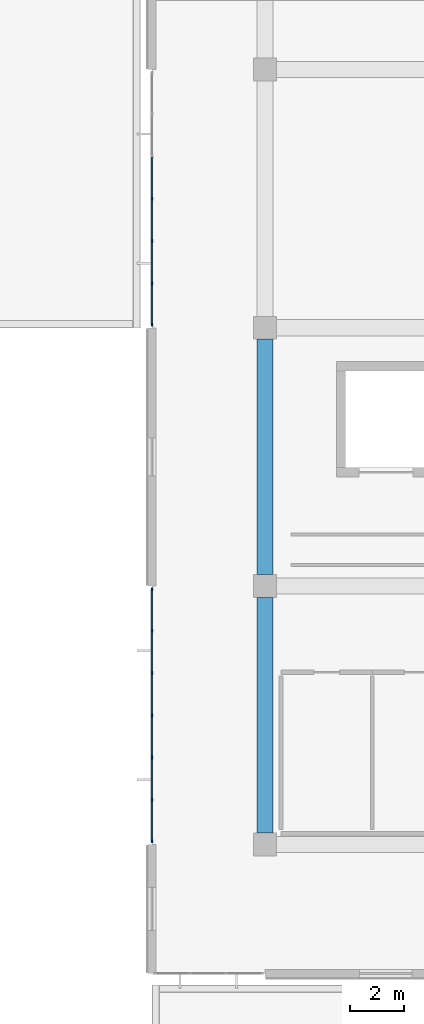
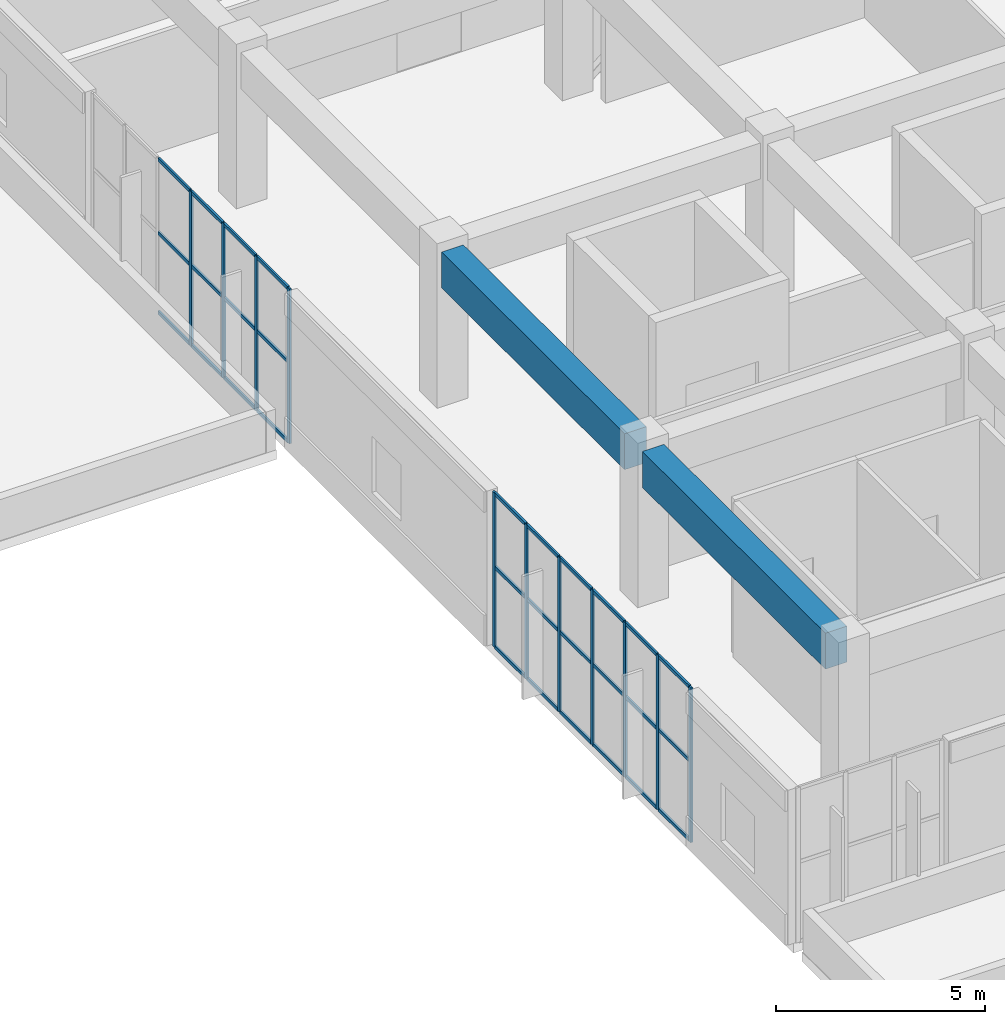
# One storey, part 17 of 67: 41 members, 2 beams, 2 elements without a shape of their own.
"""IFC4 building model written with IfcOpenShell, lengths in metres."""

from ifc_helpers import new_model, si_unit, direction, frame, origin, origin_2d, place, context, subcontext, project, spatial, rectangle, extrude, material, layer, layer_set, material_profile, profile_set, type_object, element, aggregate, save


model = new_model("IFC4")

# Units and contexts
model_context = context("Model", 3, precision=1e-05, world=origin(), true_north=direction((0.0, 1.0)))
body_context = subcontext(model_context, "Body", "Model", "MODEL_VIEW")
ifc_project = project(units=[si_unit("LENGTHUNIT", "METRE"), si_unit("AREAUNIT", "SQUARE_METRE"), si_unit("VOLUMEUNIT", "CUBIC_METRE"), si_unit("PLANEANGLEUNIT", "RADIAN"), si_unit("MASSUNIT", "GRAM", prefix="KILO")], contexts=[model_context])

# Site, building, storey
site_placement = place(None, origin())
site = spatial("IfcSite", under=ifc_project, at=site_placement, CompositionType="ELEMENT")
building_placement = place(site_placement, origin())
building = spatial("IfcBuilding", under=site, at=building_placement, Name="Cendralis Terraced Arcade", CompositionType="ELEMENT")
storey_placement = place(building_placement, frame((0.0, 0.0, 15.0)))
storey = spatial("IfcBuildingStorey", under=building, at=storey_placement, Name="L03", CompositionType="ELEMENT", Elevation=15.0)

# Beams
ifc_material_1 = material(Name="Concrete f'c 35 MPa", Category="concrete")
ifc_material_profile_1 = material_profile(ifc_material_1, rectangle(XDim=0.60009765625, YDim=1.050048828125, at=origin_2d()), Name="RC-BM-600x1050", Category="LoadBearing")
ifc_profile_set_1 = profile_set([ifc_material_profile_1], Name="Concrete f'c 35 MPa")
beam_type = type_object("IfcBeamType", Name="BM-600x1050", PredefinedType="JOIST", material=ifc_profile_set_1)
for number, where, z_axis, x_axis, name in (
    (1, (130.199951171875, 70.02490234375, 3.9951171875), (0.0, 1.0, 0.0), (-1.0, 0.0, 0.0), "Reinforced Concrete Frame Beam BM-Y-L04-15-H_J"),
    (2, (130.199951171875, 79.625, 3.9951171875), (0.0, 1.0, 0.0), (-1.0, 0.0, 0.0), "Reinforced Concrete Frame Beam BM-Y-L04-15-J_K"),
):
    element("IfcBeam", number, at=place(storey_placement, frame(where, z_axis=z_axis, x_axis=x_axis)), inside=storey, type_object=beam_type, Name=name, PredefinedType="JOIST", context=body_context, shape_type="SweptSolid", body=[
        extrude(rectangle(XDim=0.60009765625, YDim=1.050048828125, at=origin_2d()), origin(), (0.0, 0.0, 1.0), 8.75),
    ])

# Curtain wall, members
ifc_material_2 = material(Name="Anodised aluminium EN AW-6063 T6", Category="aluminium")
ifc_layer = layer(ifc_material_2, 0.1201171875, Name="CW-STORE-B")
ifc_layer_set = layer_set([ifc_layer], Name="Anodised aluminium EN AW-6063 T6")
curtain_wall_type = type_object("IfcCurtainWallType", Name="CW-STORE-B", PredefinedType="USERDEFINED", material=ifc_layer_set)
curtain_wall_1_placement = place(storey_placement, origin())
curtain_wall_1 = element("IfcCurtainWall", 3, at=curtain_wall_1_placement, inside=storey, type_object=curtain_wall_type, Name="Exterior Storefront Glazing CW-L03-0253", ObjectType="STOREFRONT GLAZING", PredefinedType="USERDEFINED")
ifc_material_profile_2 = material_profile(ifc_material_2, rectangle(XDim=0.054931640625, YDim=0.1201171875, at=origin_2d()), Name="ALU-MUL-55x120")
ifc_profile_set_2 = profile_set([ifc_material_profile_2], Name="Anodised aluminium EN AW-6063 T6")
member_type_1 = type_object("IfcMemberType", Name="CW-STORE-B-MUL", PredefinedType="MULLION", material=ifc_profile_set_2)
member_1_placement = place(storey_placement, frame((126.0, 69.717529296875, 0.0), z_axis=(0.0, 0.0, 1.0), x_axis=(-1.0, 0.0, 0.0)))
member_1 = element("IfcMember", 4, at=member_1_placement, type_object=member_type_1, Name="CW-S2 mullion 1", PredefinedType="MULLION", context=body_context, shape_type="SweptSolid", body=[
    extrude(rectangle(XDim=0.054931640625, YDim=0.1201171875, at=origin_2d()), origin(), (0.0, 0.0, 1.0), 4.52001953125),
])
member_2_placement = place(storey_placement, frame((126.0, 71.260009765625, 0.0), z_axis=(0.0, 0.0, 1.0), x_axis=(-1.0, 0.0, 0.0)))
member_2 = element("IfcMember", 5, at=member_2_placement, type_object=member_type_1, Name="CW-S2 mullion 2", PredefinedType="MULLION", context=body_context, shape_type="SweptSolid", body=[
    extrude(rectangle(XDim=0.054931640625, YDim=0.1201171875, at=origin_2d()), origin(), (0.0, 0.0, 1.0), 4.52001953125),
])
member_3_placement = place(storey_placement, frame((126.0, 72.830078125, 0.0), z_axis=(0.0, 0.0, 1.0), x_axis=(-1.0, 0.0, 0.0)))
member_3 = element("IfcMember", 6, at=member_3_placement, type_object=member_type_1, Name="CW-S2 mullion 3", PredefinedType="MULLION", context=body_context, shape_type="SweptSolid", body=[
    extrude(rectangle(XDim=0.054931640625, YDim=0.1201171875, at=origin_2d()), origin(), (0.0, 0.0, 1.0), 4.52001953125),
])
member_4_placement = place(storey_placement, frame((126.0, 74.39990234375, 0.0), z_axis=(0.0, 0.0, 1.0), x_axis=(-1.0, 0.0, 0.0)))
member_4 = element("IfcMember", 7, at=member_4_placement, type_object=member_type_1, Name="CW-S2 mullion 4", PredefinedType="MULLION", context=body_context, shape_type="SweptSolid", body=[
    extrude(rectangle(XDim=0.054931640625, YDim=0.1201171875, at=origin_2d()), origin(), (0.0, 0.0, 1.0), 4.52001953125),
])
member_5_placement = place(storey_placement, frame((126.0, 75.969970703125, 0.0), z_axis=(0.0, 0.0, 1.0), x_axis=(-1.0, 0.0, 0.0)))
member_5 = element("IfcMember", 8, at=member_5_placement, type_object=member_type_1, Name="CW-S2 mullion 5", PredefinedType="MULLION", context=body_context, shape_type="SweptSolid", body=[
    extrude(rectangle(XDim=0.054931640625, YDim=0.1201171875, at=origin_2d()), origin(), (0.0, 0.0, 1.0), 4.52001953125),
])
member_6_placement = place(storey_placement, frame((126.0, 77.5400390625, 0.0), z_axis=(0.0, 0.0, 1.0), x_axis=(-1.0, 0.0, 0.0)))
member_6 = element("IfcMember", 9, at=member_6_placement, type_object=member_type_1, Name="CW-S2 mullion 6", PredefinedType="MULLION", context=body_context, shape_type="SweptSolid", body=[
    extrude(rectangle(XDim=0.054931640625, YDim=0.1201171875, at=origin_2d()), origin(), (0.0, 0.0, 1.0), 4.52001953125),
])
member_7_placement = place(storey_placement, frame((126.0, 79.08251953125, 0.0), z_axis=(0.0, 0.0, 1.0), x_axis=(-1.0, 0.0, 0.0)))
member_7 = element("IfcMember", 10, at=member_7_placement, type_object=member_type_1, Name="CW-S2 mullion 7", PredefinedType="MULLION", context=body_context, shape_type="SweptSolid", body=[
    extrude(rectangle(XDim=0.054931640625, YDim=0.1201171875, at=origin_2d()), origin(), (0.0, 0.0, 1.0), 4.52001953125),
])

curtain_wall_2_placement = place(storey_placement, origin())
curtain_wall_2 = element("IfcCurtainWall", 11, at=curtain_wall_2_placement, inside=storey, type_object=curtain_wall_type, Name="Exterior Storefront Glazing CW-L03-0254", ObjectType="STOREFRONT GLAZING", PredefinedType="USERDEFINED")
member_8_placement = place(storey_placement, frame((126.0, 88.91748046875, 0.0), z_axis=(0.0, 0.0, 1.0), x_axis=(-1.0, 0.0, 0.0)))
member_8 = element("IfcMember", 12, at=member_8_placement, type_object=member_type_1, Name="CW-S2 mullion 1", PredefinedType="MULLION", context=body_context, shape_type="SweptSolid", body=[
    extrude(rectangle(XDim=0.054931640625, YDim=0.1201171875, at=origin_2d()), origin(), (0.0, 0.0, 1.0), 4.52001953125),
])
member_9_placement = place(storey_placement, frame((126.0, 90.4599609375, 0.0), z_axis=(0.0, 0.0, 1.0), x_axis=(-1.0, 0.0, 0.0)))
member_9 = element("IfcMember", 13, at=member_9_placement, type_object=member_type_1, Name="CW-S2 mullion 2", PredefinedType="MULLION", context=body_context, shape_type="SweptSolid", body=[
    extrude(rectangle(XDim=0.054931640625, YDim=0.1201171875, at=origin_2d()), origin(), (0.0, 0.0, 1.0), 4.52001953125),
])
member_10_placement = place(storey_placement, frame((126.0, 92.030029296875, 0.0), z_axis=(0.0, 0.0, 1.0), x_axis=(-1.0, 0.0, 0.0)))
member_10 = element("IfcMember", 14, at=member_10_placement, type_object=member_type_1, Name="CW-S2 mullion 3", PredefinedType="MULLION", context=body_context, shape_type="SweptSolid", body=[
    extrude(rectangle(XDim=0.054931640625, YDim=0.1201171875, at=origin_2d()), origin(), (0.0, 0.0, 1.0), 4.52001953125),
])
member_11_placement = place(storey_placement, frame((126.0, 93.60009765625, 0.0), z_axis=(0.0, 0.0, 1.0), x_axis=(-1.0, 0.0, 0.0)))
member_11 = element("IfcMember", 15, at=member_11_placement, type_object=member_type_1, Name="CW-S2 mullion 4", PredefinedType="MULLION", context=body_context, shape_type="SweptSolid", body=[
    extrude(rectangle(XDim=0.054931640625, YDim=0.1201171875, at=origin_2d()), origin(), (0.0, 0.0, 1.0), 4.52001953125),
])

# Member
ifc_material_profile_3 = material_profile(ifc_material_2, rectangle(XDim=0.054931640625, YDim=0.10009765625, at=origin_2d()), Name="ALU-TRN-55x100")
ifc_profile_set_3 = profile_set([ifc_material_profile_3], Name="Anodised aluminium EN AW-6063 T6")
member_type_2 = type_object("IfcMemberType", Name="CW-STORE-B-TRN", PredefinedType="USERDEFINED", material=ifc_profile_set_3)
member_12_placement = place(storey_placement, frame((126.0, 69.7451171875, 0.027587890625), z_axis=(0.0, 1.0, 0.0), x_axis=(-1.0, 0.0, 0.0)))
member_12 = element("IfcMember", 16, at=member_12_placement, type_object=member_type_2, Name="CW-S2 transom 1.1", ObjectType="TRANSOM", PredefinedType="USERDEFINED", context=body_context, shape_type="SweptSolid", body=[
    extrude(rectangle(XDim=0.054931640625, YDim=0.10009765625, at=origin_2d()), origin(), (0.0, 0.0, 1.0), 1.4873046875),
])

member_13_placement = place(storey_placement, frame((126.0, 69.7451171875, 2.350341796875), z_axis=(0.0, 1.0, 0.0), x_axis=(-1.0, 0.0, 0.0)))
member_13 = element("IfcMember", 17, at=member_13_placement, type_object=member_type_2, Name="CW-S2 transom 1.2", ObjectType="TRANSOM", PredefinedType="USERDEFINED", context=body_context, shape_type="SweptSolid", body=[
    extrude(rectangle(XDim=0.054931640625, YDim=0.10009765625, at=origin_2d()), origin(), (0.0, 0.0, 1.0), 1.4873046875),
])

member_14_placement = place(storey_placement, frame((126.0, 69.7451171875, 4.492431640625), z_axis=(0.0, 1.0, 0.0), x_axis=(-1.0, 0.0, 0.0)))
member_14 = element("IfcMember", 18, at=member_14_placement, type_object=member_type_2, Name="CW-S2 transom 1.3", ObjectType="TRANSOM", PredefinedType="USERDEFINED", context=body_context, shape_type="SweptSolid", body=[
    extrude(rectangle(XDim=0.054931640625, YDim=0.10009765625, at=origin_2d()), origin(), (0.0, 0.0, 1.0), 1.4873046875),
])

member_15_placement = place(storey_placement, frame((126.0, 71.28759765625, 0.027587890625), z_axis=(0.0, 1.0, 0.0), x_axis=(-1.0, 0.0, 0.0)))
member_15 = element("IfcMember", 19, at=member_15_placement, type_object=member_type_2, Name="CW-S2 transom 2.1", ObjectType="TRANSOM", PredefinedType="USERDEFINED", context=body_context, shape_type="SweptSolid", body=[
    extrude(rectangle(XDim=0.054931640625, YDim=0.10009765625, at=origin_2d()), origin(), (0.0, 0.0, 1.0), 1.514892578125),
])

member_16_placement = place(storey_placement, frame((126.0, 71.28759765625, 2.350341796875), z_axis=(0.0, 1.0, 0.0), x_axis=(-1.0, 0.0, 0.0)))
member_16 = element("IfcMember", 20, at=member_16_placement, type_object=member_type_2, Name="CW-S2 transom 2.2", ObjectType="TRANSOM", PredefinedType="USERDEFINED", context=body_context, shape_type="SweptSolid", body=[
    extrude(rectangle(XDim=0.054931640625, YDim=0.10009765625, at=origin_2d()), origin(), (0.0, 0.0, 1.0), 1.514892578125),
])

member_17_placement = place(storey_placement, frame((126.0, 71.28759765625, 4.492431640625), z_axis=(0.0, 1.0, 0.0), x_axis=(-1.0, 0.0, 0.0)))
member_17 = element("IfcMember", 21, at=member_17_placement, type_object=member_type_2, Name="CW-S2 transom 2.3", ObjectType="TRANSOM", PredefinedType="USERDEFINED", context=body_context, shape_type="SweptSolid", body=[
    extrude(rectangle(XDim=0.054931640625, YDim=0.10009765625, at=origin_2d()), origin(), (0.0, 0.0, 1.0), 1.514892578125),
])

member_18_placement = place(storey_placement, frame((126.0, 72.857421875, 0.027587890625), z_axis=(0.0, 1.0, 0.0), x_axis=(-1.0, 0.0, 0.0)))
member_18 = element("IfcMember", 22, at=member_18_placement, type_object=member_type_2, Name="CW-S2 transom 3.1", ObjectType="TRANSOM", PredefinedType="USERDEFINED", context=body_context, shape_type="SweptSolid", body=[
    extrude(rectangle(XDim=0.054931640625, YDim=0.10009765625, at=origin_2d()), origin(), (0.0, 0.0, 1.0), 1.51513671875),
])

member_19_placement = place(storey_placement, frame((126.0, 72.857421875, 2.350341796875), z_axis=(0.0, 1.0, 0.0), x_axis=(-1.0, 0.0, 0.0)))
member_19 = element("IfcMember", 23, at=member_19_placement, type_object=member_type_2, Name="CW-S2 transom 3.2", ObjectType="TRANSOM", PredefinedType="USERDEFINED", context=body_context, shape_type="SweptSolid", body=[
    extrude(rectangle(XDim=0.054931640625, YDim=0.10009765625, at=origin_2d()), origin(), (0.0, 0.0, 1.0), 1.51513671875),
])

member_20_placement = place(storey_placement, frame((126.0, 72.857421875, 4.492431640625), z_axis=(0.0, 1.0, 0.0), x_axis=(-1.0, 0.0, 0.0)))
member_20 = element("IfcMember", 24, at=member_20_placement, type_object=member_type_2, Name="CW-S2 transom 3.3", ObjectType="TRANSOM", PredefinedType="USERDEFINED", context=body_context, shape_type="SweptSolid", body=[
    extrude(rectangle(XDim=0.054931640625, YDim=0.10009765625, at=origin_2d()), origin(), (0.0, 0.0, 1.0), 1.51513671875),
])

member_21_placement = place(storey_placement, frame((126.0, 74.427490234375, 0.027587890625), z_axis=(0.0, 1.0, 0.0), x_axis=(-1.0, 0.0, 0.0)))
member_21 = element("IfcMember", 25, at=member_21_placement, type_object=member_type_2, Name="CW-S2 transom 4.1", ObjectType="TRANSOM", PredefinedType="USERDEFINED", context=body_context, shape_type="SweptSolid", body=[
    extrude(rectangle(XDim=0.054931640625, YDim=0.10009765625, at=origin_2d()), origin(), (0.0, 0.0, 1.0), 1.514892578125),
])

member_22_placement = place(storey_placement, frame((126.0, 74.427490234375, 2.350341796875), z_axis=(0.0, 1.0, 0.0), x_axis=(-1.0, 0.0, 0.0)))
member_22 = element("IfcMember", 26, at=member_22_placement, type_object=member_type_2, Name="CW-S2 transom 4.2", ObjectType="TRANSOM", PredefinedType="USERDEFINED", context=body_context, shape_type="SweptSolid", body=[
    extrude(rectangle(XDim=0.054931640625, YDim=0.10009765625, at=origin_2d()), origin(), (0.0, 0.0, 1.0), 1.514892578125),
])

member_23_placement = place(storey_placement, frame((126.0, 74.427490234375, 4.492431640625), z_axis=(0.0, 1.0, 0.0), x_axis=(-1.0, 0.0, 0.0)))
member_23 = element("IfcMember", 27, at=member_23_placement, type_object=member_type_2, Name="CW-S2 transom 4.3", ObjectType="TRANSOM", PredefinedType="USERDEFINED", context=body_context, shape_type="SweptSolid", body=[
    extrude(rectangle(XDim=0.054931640625, YDim=0.10009765625, at=origin_2d()), origin(), (0.0, 0.0, 1.0), 1.514892578125),
])

member_24_placement = place(storey_placement, frame((126.0, 75.99755859375, 0.027587890625), z_axis=(0.0, 1.0, 0.0), x_axis=(-1.0, 0.0, 0.0)))
member_24 = element("IfcMember", 28, at=member_24_placement, type_object=member_type_2, Name="CW-S2 transom 5.1", ObjectType="TRANSOM", PredefinedType="USERDEFINED", context=body_context, shape_type="SweptSolid", body=[
    extrude(rectangle(XDim=0.054931640625, YDim=0.10009765625, at=origin_2d()), origin(), (0.0, 0.0, 1.0), 1.514892578125),
])

member_25_placement = place(storey_placement, frame((126.0, 75.99755859375, 2.350341796875), z_axis=(0.0, 1.0, 0.0), x_axis=(-1.0, 0.0, 0.0)))
member_25 = element("IfcMember", 29, at=member_25_placement, type_object=member_type_2, Name="CW-S2 transom 5.2", ObjectType="TRANSOM", PredefinedType="USERDEFINED", context=body_context, shape_type="SweptSolid", body=[
    extrude(rectangle(XDim=0.054931640625, YDim=0.10009765625, at=origin_2d()), origin(), (0.0, 0.0, 1.0), 1.514892578125),
])

member_26_placement = place(storey_placement, frame((126.0, 75.99755859375, 4.492431640625), z_axis=(0.0, 1.0, 0.0), x_axis=(-1.0, 0.0, 0.0)))
member_26 = element("IfcMember", 30, at=member_26_placement, type_object=member_type_2, Name="CW-S2 transom 5.3", ObjectType="TRANSOM", PredefinedType="USERDEFINED", context=body_context, shape_type="SweptSolid", body=[
    extrude(rectangle(XDim=0.054931640625, YDim=0.10009765625, at=origin_2d()), origin(), (0.0, 0.0, 1.0), 1.514892578125),
])

member_27_placement = place(storey_placement, frame((126.0, 77.5673828125, 0.027587890625), z_axis=(0.0, 1.0, 0.0), x_axis=(-1.0, 0.0, 0.0)))
member_27 = element("IfcMember", 31, at=member_27_placement, type_object=member_type_2, Name="CW-S2 transom 6.1", ObjectType="TRANSOM", PredefinedType="USERDEFINED", context=body_context, shape_type="SweptSolid", body=[
    extrude(rectangle(XDim=0.054931640625, YDim=0.10009765625, at=origin_2d()), origin(), (0.0, 0.0, 1.0), 1.487548828125),
])

member_28_placement = place(storey_placement, frame((126.0, 77.5673828125, 2.350341796875), z_axis=(0.0, 1.0, 0.0), x_axis=(-1.0, 0.0, 0.0)))
member_28 = element("IfcMember", 32, at=member_28_placement, type_object=member_type_2, Name="CW-S2 transom 6.2", ObjectType="TRANSOM", PredefinedType="USERDEFINED", context=body_context, shape_type="SweptSolid", body=[
    extrude(rectangle(XDim=0.054931640625, YDim=0.10009765625, at=origin_2d()), origin(), (0.0, 0.0, 1.0), 1.487548828125),
])

member_29_placement = place(storey_placement, frame((126.0, 77.5673828125, 4.492431640625), z_axis=(0.0, 1.0, 0.0), x_axis=(-1.0, 0.0, 0.0)))
member_29 = element("IfcMember", 33, at=member_29_placement, type_object=member_type_2, Name="CW-S2 transom 6.3", ObjectType="TRANSOM", PredefinedType="USERDEFINED", context=body_context, shape_type="SweptSolid", body=[
    extrude(rectangle(XDim=0.054931640625, YDim=0.10009765625, at=origin_2d()), origin(), (0.0, 0.0, 1.0), 1.487548828125),
])

aggregate(curtain_wall_1, [member_1, member_2, member_3, member_4, member_5, member_6, member_7, member_12, member_13, member_14, member_15, member_16, member_17, member_18, member_19, member_20, member_21, member_22, member_23, member_24, member_25, member_26, member_27, member_28, member_29])

member_30_placement = place(storey_placement, frame((126.0, 88.945068359375, 0.027587890625), z_axis=(0.0, 1.0, 0.0), x_axis=(-1.0, 0.0, 0.0)))
member_30 = element("IfcMember", 34, at=member_30_placement, type_object=member_type_2, Name="CW-S2 transom 1.1", ObjectType="TRANSOM", PredefinedType="USERDEFINED", context=body_context, shape_type="SweptSolid", body=[
    extrude(rectangle(XDim=0.054931640625, YDim=0.10009765625, at=origin_2d()), origin(), (0.0, 0.0, 1.0), 1.487548828125),
])

member_31_placement = place(storey_placement, frame((126.0, 88.945068359375, 2.350341796875), z_axis=(0.0, 1.0, 0.0), x_axis=(-1.0, 0.0, 0.0)))
member_31 = element("IfcMember", 35, at=member_31_placement, type_object=member_type_2, Name="CW-S2 transom 1.2", ObjectType="TRANSOM", PredefinedType="USERDEFINED", context=body_context, shape_type="SweptSolid", body=[
    extrude(rectangle(XDim=0.054931640625, YDim=0.10009765625, at=origin_2d()), origin(), (0.0, 0.0, 1.0), 1.487548828125),
])

member_32_placement = place(storey_placement, frame((126.0, 88.945068359375, 4.492431640625), z_axis=(0.0, 1.0, 0.0), x_axis=(-1.0, 0.0, 0.0)))
member_32 = element("IfcMember", 36, at=member_32_placement, type_object=member_type_2, Name="CW-S2 transom 1.3", ObjectType="TRANSOM", PredefinedType="USERDEFINED", context=body_context, shape_type="SweptSolid", body=[
    extrude(rectangle(XDim=0.054931640625, YDim=0.10009765625, at=origin_2d()), origin(), (0.0, 0.0, 1.0), 1.487548828125),
])

member_33_placement = place(storey_placement, frame((126.0, 90.487548828125, 0.027587890625), z_axis=(0.0, 1.0, 0.0), x_axis=(-1.0, 0.0, 0.0)))
member_33 = element("IfcMember", 37, at=member_33_placement, type_object=member_type_2, Name="CW-S2 transom 2.1", ObjectType="TRANSOM", PredefinedType="USERDEFINED", context=body_context, shape_type="SweptSolid", body=[
    extrude(rectangle(XDim=0.054931640625, YDim=0.10009765625, at=origin_2d()), origin(), (0.0, 0.0, 1.0), 1.514892578125),
])

member_34_placement = place(storey_placement, frame((126.0, 90.487548828125, 2.350341796875), z_axis=(0.0, 1.0, 0.0), x_axis=(-1.0, 0.0, 0.0)))
member_34 = element("IfcMember", 38, at=member_34_placement, type_object=member_type_2, Name="CW-S2 transom 2.2", ObjectType="TRANSOM", PredefinedType="USERDEFINED", context=body_context, shape_type="SweptSolid", body=[
    extrude(rectangle(XDim=0.054931640625, YDim=0.10009765625, at=origin_2d()), origin(), (0.0, 0.0, 1.0), 1.514892578125),
])

member_35_placement = place(storey_placement, frame((126.0, 90.487548828125, 4.492431640625), z_axis=(0.0, 1.0, 0.0), x_axis=(-1.0, 0.0, 0.0)))
member_35 = element("IfcMember", 39, at=member_35_placement, type_object=member_type_2, Name="CW-S2 transom 2.3", ObjectType="TRANSOM", PredefinedType="USERDEFINED", context=body_context, shape_type="SweptSolid", body=[
    extrude(rectangle(XDim=0.054931640625, YDim=0.10009765625, at=origin_2d()), origin(), (0.0, 0.0, 1.0), 1.514892578125),
])

member_36_placement = place(storey_placement, frame((126.0, 92.0576171875, 0.027587890625), z_axis=(0.0, 1.0, 0.0), x_axis=(-1.0, 0.0, 0.0)))
member_36 = element("IfcMember", 40, at=member_36_placement, type_object=member_type_2, Name="CW-S2 transom 3.1", ObjectType="TRANSOM", PredefinedType="USERDEFINED", context=body_context, shape_type="SweptSolid", body=[
    extrude(rectangle(XDim=0.054931640625, YDim=0.10009765625, at=origin_2d()), origin(), (0.0, 0.0, 1.0), 1.514892578125),
])

member_37_placement = place(storey_placement, frame((126.0, 92.0576171875, 2.350341796875), z_axis=(0.0, 1.0, 0.0), x_axis=(-1.0, 0.0, 0.0)))
member_37 = element("IfcMember", 41, at=member_37_placement, type_object=member_type_2, Name="CW-S2 transom 3.2", ObjectType="TRANSOM", PredefinedType="USERDEFINED", context=body_context, shape_type="SweptSolid", body=[
    extrude(rectangle(XDim=0.054931640625, YDim=0.10009765625, at=origin_2d()), origin(), (0.0, 0.0, 1.0), 1.514892578125),
])

member_38_placement = place(storey_placement, frame((126.0, 92.0576171875, 4.492431640625), z_axis=(0.0, 1.0, 0.0), x_axis=(-1.0, 0.0, 0.0)))
member_38 = element("IfcMember", 42, at=member_38_placement, type_object=member_type_2, Name="CW-S2 transom 3.3", ObjectType="TRANSOM", PredefinedType="USERDEFINED", context=body_context, shape_type="SweptSolid", body=[
    extrude(rectangle(XDim=0.054931640625, YDim=0.10009765625, at=origin_2d()), origin(), (0.0, 0.0, 1.0), 1.514892578125),
])

member_39_placement = place(storey_placement, frame((126.0, 93.62744140625, 0.027587890625), z_axis=(0.0, 1.0, 0.0), x_axis=(-1.0, 0.0, 0.0)))
member_39 = element("IfcMember", 43, at=member_39_placement, type_object=member_type_2, Name="CW-S2 transom 4.1", ObjectType="TRANSOM", PredefinedType="USERDEFINED", context=body_context, shape_type="SweptSolid", body=[
    extrude(rectangle(XDim=0.054931640625, YDim=0.10009765625, at=origin_2d()), origin(), (0.0, 0.0, 1.0), 1.51513671875),
])

member_40_placement = place(storey_placement, frame((126.0, 93.62744140625, 2.350341796875), z_axis=(0.0, 1.0, 0.0), x_axis=(-1.0, 0.0, 0.0)))
member_40 = element("IfcMember", 44, at=member_40_placement, type_object=member_type_2, Name="CW-S2 transom 4.2", ObjectType="TRANSOM", PredefinedType="USERDEFINED", context=body_context, shape_type="SweptSolid", body=[
    extrude(rectangle(XDim=0.054931640625, YDim=0.10009765625, at=origin_2d()), origin(), (0.0, 0.0, 1.0), 1.51513671875),
])

member_41_placement = place(storey_placement, frame((126.0, 93.62744140625, 4.492431640625), z_axis=(0.0, 1.0, 0.0), x_axis=(-1.0, 0.0, 0.0)))
member_41 = element("IfcMember", 45, at=member_41_placement, type_object=member_type_2, Name="CW-S2 transom 4.3", ObjectType="TRANSOM", PredefinedType="USERDEFINED", context=body_context, shape_type="SweptSolid", body=[
    extrude(rectangle(XDim=0.054931640625, YDim=0.10009765625, at=origin_2d()), origin(), (0.0, 0.0, 1.0), 1.51513671875),
])

aggregate(curtain_wall_2, [member_8, member_9, member_10, member_11, member_30, member_31, member_32, member_33, member_34, member_35, member_36, member_37, member_38, member_39, member_40, member_41])

save(model, "model.ifc")
